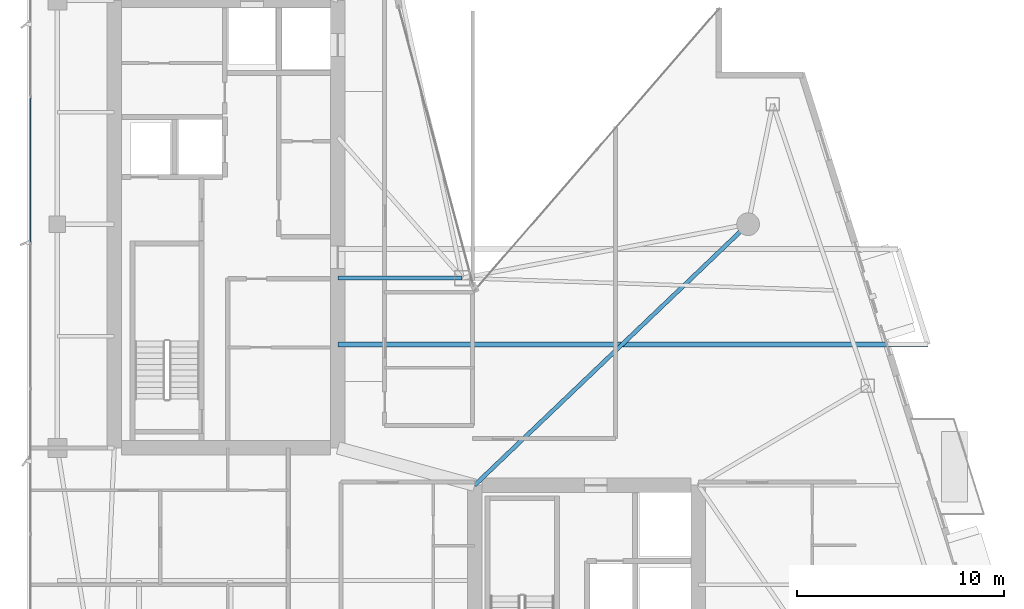
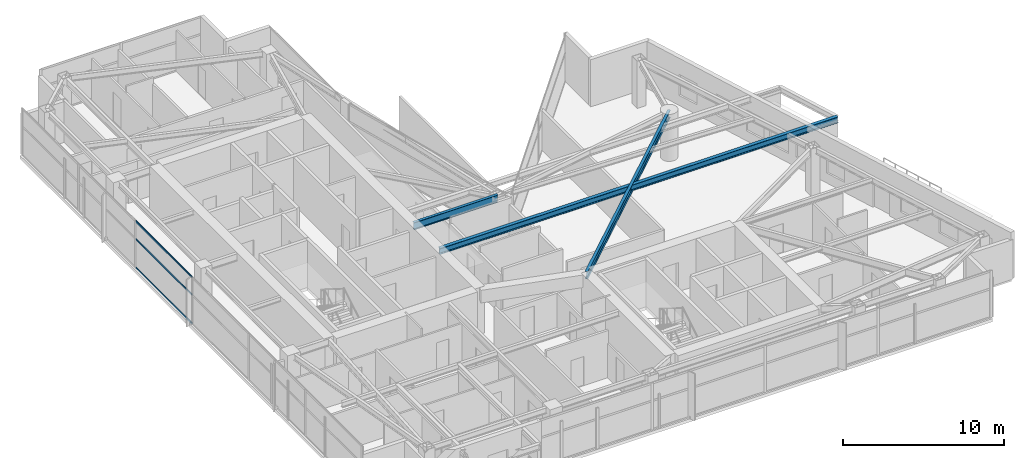
# One storey, part 10 of 29: 3 beams, 3 members, 1 element without a shape of its own.
"""IFC4 building model written with IfcOpenShell, lengths in metres."""

from ifc_helpers import new_model, si_unit, direction, frame, origin, origin_2d, place, context, subcontext, project, spatial, hollow_rectangle, i_section, extrude, material, layer, layer_set, material_profile, profile_set, type_object, element, aggregate, save


model = new_model("IFC4")

# Units and contexts
model_context = context("Model", 3, precision=1e-05, world=origin(), true_north=direction((0.0, 1.0)))
body_context = subcontext(model_context, "Body", "Model", "MODEL_VIEW")
ifc_project = project(units=[si_unit("LENGTHUNIT", "METRE"), si_unit("AREAUNIT", "SQUARE_METRE"), si_unit("VOLUMEUNIT", "CUBIC_METRE"), si_unit("PLANEANGLEUNIT", "RADIAN"), si_unit("MASSUNIT", "GRAM", prefix="KILO")], contexts=[model_context])

# Site, building, storey
site_placement = place(None, origin())
site = spatial("IfcSite", under=ifc_project, at=site_placement, CompositionType="ELEMENT")
building_placement = place(site_placement, origin())
building = spatial("IfcBuilding", under=site, at=building_placement, Name="Calvorn Quay Hotel", CompositionType="ELEMENT")
storey_placement = place(building_placement, frame((0.0, 0.0, 251.39990234375)))
storey = spatial("IfcBuildingStorey", under=building, at=storey_placement, Name="L62", CompositionType="ELEMENT", Elevation=251.39990234375)

# Beams
ifc_material_1 = material(Name="Steel Q355B", Category="steel")
ifc_material_profile_1 = material_profile(ifc_material_1, i_section(OverallWidth=0.25, OverallDepth=0.449951171875, WebThickness=0.011962890625, FlangeThickness=0.01611328125, FilletRadius=0.01611328125, at=origin_2d()), Name="HN450x250x12x16")
ifc_profile_set_1 = profile_set([ifc_material_profile_1], Name="Steel Q355B")
beam_type_1 = type_object("IfcBeamType", Name="BM-CANT-BALC", PredefinedType="BEAM", material=ifc_profile_set_1)
beam_1_placement = place(storey_placement, frame((15.0, 21.800048828125, 3.315185546875), z_axis=(1.0, 0.0, 0.0), x_axis=(0.0, 1.0, 0.0)))
element("IfcBeam", 1, at=beam_1_placement, inside=storey, type_object=beam_type_1, Name="Cantilever Balcony Beam BCB-L63-1A", PredefinedType="BEAM", context=body_context, shape_type="SweptSolid", body=[
    extrude(i_section(OverallWidth=0.25, OverallDepth=0.449951171875, WebThickness=0.011962890625, FlangeThickness=0.01611328125, FilletRadius=0.01611328125, at=origin_2d()), origin(), (0.0, 0.0, 1.0), 28.486083984375),
])
ifc_material_2 = material(Name="Steel Q355B", Category="steel")
ifc_material_profile_2 = material_profile(ifc_material_2, i_section(OverallWidth=0.199951171875, OverallDepth=0.550048828125, WebThickness=0.010009765625, FlangeThickness=0.01611328125, FilletRadius=0.01806640625, at=origin_2d()), Name="HN550x200x10x16")
ifc_profile_set_2 = profile_set([ifc_material_profile_2], Name="Steel Q355B")
beam_type_2 = type_object("IfcBeamType", Name="BM-GIRD-UPP", PredefinedType="BEAM", material=ifc_profile_set_2)
beam_2_placement = place(storey_placement, frame((21.0, 25.0, 3.26513671875), z_axis=(-1.0, 0.0, 0.0), x_axis=(0.0, -1.0, 0.0)))
element("IfcBeam", 2, at=beam_2_placement, inside=storey, type_object=beam_type_2, Name="Beam BG-L62-W7", PredefinedType="BEAM", context=body_context, shape_type="SweptSolid", body=[
    extrude(i_section(OverallWidth=0.199951171875, OverallDepth=0.550048828125, WebThickness=0.010009765625, FlangeThickness=0.01611328125, FilletRadius=0.01806640625, at=origin_2d()), origin(), (0.0, 0.0, 1.0), 6.0),
])
beam_3_placement = place(storey_placement, frame((21.60009765625, 15.0, 3.26513671875), z_axis=(0.723351595578, 0.690479883252, 0.0), x_axis=(-0.690479883252, 0.723351595578, 0.0)))
element("IfcBeam", 3, at=beam_3_placement, inside=storey, type_object=beam_type_2, Name="Beam BG-L62-E4", PredefinedType="BEAM", context=body_context, shape_type="SweptSolid", body=[
    extrude(i_section(OverallWidth=0.199951171875, OverallDepth=0.550048828125, WebThickness=0.010009765625, FlangeThickness=0.01611328125, FilletRadius=0.01806640625, at=origin_2d()), origin(), (0.0, 0.0, 1.0), 18.248291015625),
])

# Curtain wall, members
ifc_material_3 = material(Name="Champagne Bronze Anodised Aluminium and Low-E Glass", Category="aluminium")
ifc_layer = layer(ifc_material_3, 0.219970703125)
ifc_layer_set = layer_set([ifc_layer], Name="CW-SYS-Z4")
curtain_wall_type = type_object("IfcCurtainWallType", Name="CW-SYS-Z4", PredefinedType="NOTDEFINED", material=ifc_layer_set)
curtain_wall_placement = place(storey_placement, origin())
curtain_wall = element("IfcCurtainWall", 4, at=curtain_wall_placement, inside=storey, type_object=curtain_wall_type, Name="Tower West Curtain Wall (L62)", PredefinedType="NOTDEFINED")
ifc_material_4 = material(Name="Champagne Bronze Anodised Aluminium 6063-T6", Category="aluminium")
ifc_material_profile_3 = material_profile(ifc_material_4, hollow_rectangle(XDim=0.054931640625, YDim=0.1298828125, WallThickness=0.003173828125, at=origin_2d()), Name="ALU-T130x55x3.2")
ifc_profile_set_3 = profile_set([ifc_material_profile_3], Name="Champagne Bronze Anodised Aluminium 6063-T6")
member_type = type_object("IfcMemberType", Name="CW-SYS-Z4-TRN", PredefinedType="USERDEFINED", material=ifc_profile_set_3)
member_1_placement = place(storey_placement, frame((0.14990234375, 26.72998046875, 0.030029296875), z_axis=(0.0, 1.0, 0.0), x_axis=(-1.0, 0.0, 0.0)))
member_1 = element("IfcMember", 5, at=member_1_placement, type_object=member_type, Name="CW-L62-W transom 4.1", ObjectType="TRANSOM", PredefinedType="USERDEFINED", context=body_context, shape_type="SweptSolid", body=[
    extrude(hollow_rectangle(XDim=0.054931640625, YDim=0.1298828125, WallThickness=0.003173828125, at=origin_2d()), origin(), (0.0, 0.0, 1.0), 6.973388671875),
])
member_2_placement = place(storey_placement, frame((0.14990234375, 26.72998046875, 2.2001953125), z_axis=(0.0, 1.0, 0.0), x_axis=(-1.0, 0.0, 0.0)))
member_2 = element("IfcMember", 6, at=member_2_placement, type_object=member_type, Name="CW-L62-W transom 4.2", ObjectType="TRANSOM", PredefinedType="USERDEFINED", context=body_context, shape_type="SweptSolid", body=[
    extrude(hollow_rectangle(XDim=0.054931640625, YDim=0.1298828125, WallThickness=0.003173828125, at=origin_2d()), origin(), (0.0, 0.0, 1.0), 6.973388671875),
])
member_3_placement = place(storey_placement, frame((0.14990234375, 26.72998046875, 3.530029296875), z_axis=(0.0, 1.0, 0.0), x_axis=(-1.0, 0.0, 0.0)))
member_3 = element("IfcMember", 7, at=member_3_placement, type_object=member_type, Name="CW-L62-W transom 4.3", ObjectType="TRANSOM", PredefinedType="USERDEFINED", context=body_context, shape_type="SweptSolid", body=[
    extrude(hollow_rectangle(XDim=0.054931640625, YDim=0.1298828125, WallThickness=0.003173828125, at=origin_2d()), origin(), (0.0, 0.0, 1.0), 6.973388671875),
])
aggregate(curtain_wall, [member_1, member_2, member_3])

save(model, "model.ifc")
